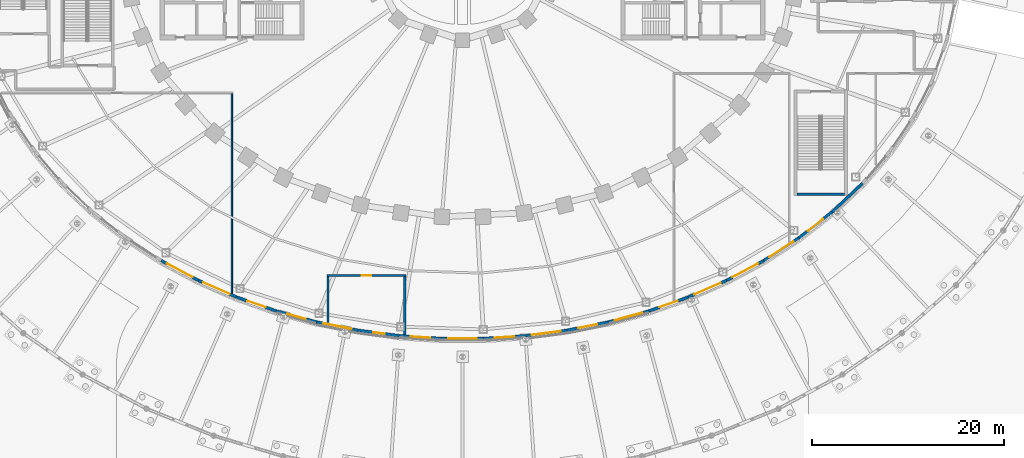
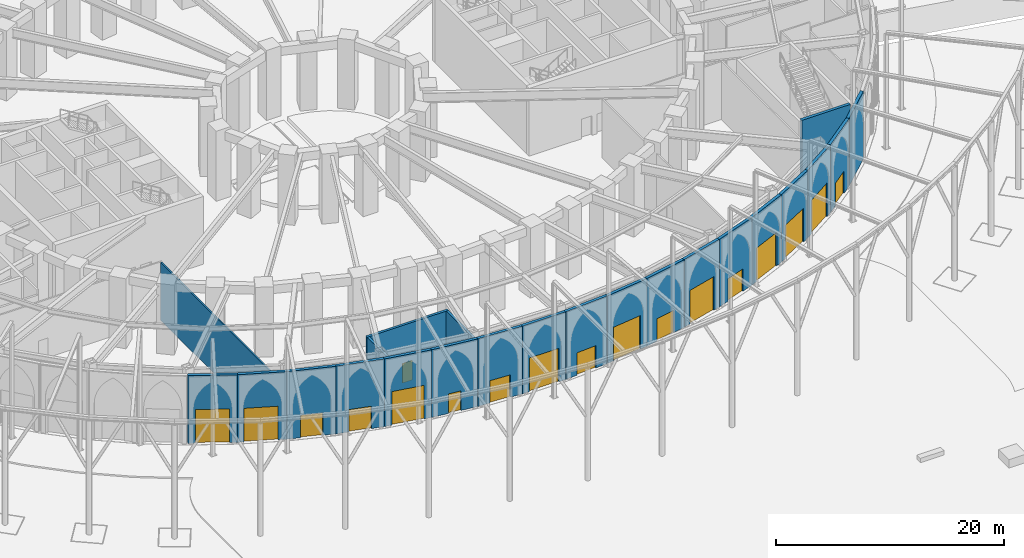
# One storey, part 44 of 79: 23 walls, 9 doors, 9 windows, 18 openings.
"""IFC4 building model written with IfcOpenShell, lengths in metres."""

from ifc_helpers import new_model, si_unit, direction, frame, frame_2d, origin, place, context, subcontext, project, spatial, rectangle, extrude, material, layer, layer_set, type_object, element, fill, save


model = new_model("IFC4")

# Units and contexts
model_context = context("Model", 3, precision=1e-05, world=origin(), true_north=direction((0.0, 1.0)))
body_context = subcontext(model_context, "Body", "Model", "MODEL_VIEW")
ifc_project = project(units=[si_unit("LENGTHUNIT", "METRE"), si_unit("AREAUNIT", "SQUARE_METRE"), si_unit("VOLUMEUNIT", "CUBIC_METRE"), si_unit("PLANEANGLEUNIT", "RADIAN"), si_unit("MASSUNIT", "GRAM", prefix="KILO")], contexts=[model_context])

# Site, building, storey
site_placement = place(None, origin())
site = spatial("IfcSite", under=ifc_project, at=site_placement, CompositionType="ELEMENT")
building_placement = place(site_placement, origin())
building = spatial("IfcBuilding", under=site, at=building_placement, Name="Noorbagh Ring Tower", CompositionType="ELEMENT")
storey_placement = place(building_placement, origin())
storey = spatial("IfcBuildingStorey", under=building, at=storey_placement, Name="L00", CompositionType="ELEMENT", Elevation=0.0)

# Wall, opening, window
ifc_material_1 = material(Name="Blockwork faced with red sandstone", Category="masonry")
ifc_layer_1 = layer(ifc_material_1, 0.300048828125)
ifc_layer_set_1 = layer_set([ifc_layer_1], Name="Blockwork faced with red sandstone")
wall_type_1 = type_object("IfcWallType", Name="GND-ENV-WALL", PredefinedType="SOLIDWALL", material=ifc_layer_set_1)
wall_1_placement = place(storey_placement, frame((-31.3515625, -31.448486328125, 0.0), z_axis=(0.0, 0.0, 1.0), x_axis=(0.882159305704, -0.47095112205, 0.0)))
wall_1 = element("IfcWall", 1, at=wall_1_placement, inside=storey, type_object=wall_type_1, Name="Podium wall", PredefinedType="SOLIDWALL", context=body_context, shape_type="SweptSolid", body=[
    extrude(rectangle(XDim=4.364501953125, YDim=0.300048828125, at=frame_2d((2.18212890625, 0.0))), origin(), (0.0, 0.0, 1.0), 7.25),
])
opening_1_placement = place(wall_1_placement, frame((0.68212890625, 0.0, 0.0)))
opening_1 = element("IfcOpeningElement", 2, at=opening_1_placement, cuts=wall_1, Name="Opening GWN2", PredefinedType="OPENING", context=body_context, shape_type="SweptSolid", body=[
    extrude(rectangle(XDim=3.0, YDim=3.60009765625, at=frame_2d((1.5, 1.800048828125))), frame((0.0, 0.16015625, 0.0), z_axis=(0.0, -1.0, 0.0), x_axis=(1.0, 0.0, 0.0)), (0.0, 0.0, 1.0), 0.320068359375),
])
ifc_material_2 = material(Name="Aluminium and glass", Category="aluminium")
window_type = type_object("IfcWindowType", Name="GND-ENV-SHOPFRONT", PartitioningType="SINGLE_PANEL", PredefinedType="WINDOW", material=ifc_material_2)
window_1_placement = place(opening_1_placement, origin())
window_1 = element("IfcWindow", 3, at=window_1_placement, inside=storey, type_object=window_type, Name="L00 podium window", OverallHeight=3.60009765625, OverallWidth=3.0, PartitioningType="SINGLE_PANEL", PredefinedType="WINDOW", context=body_context, shape_type="SweptSolid", body=[
    extrude(rectangle(XDim=3.0, YDim=3.60009765625, at=frame_2d((1.5, 1.800048828125))), frame((0.0, 0.030029296875, 0.0), z_axis=(0.0, -1.0, 0.0), x_axis=(1.0, 0.0, 0.0)), (0.0, 0.0, 1.0), 0.06005859375),
])
fill(opening_1, window_1)

wall_2_placement = place(storey_placement, frame((-27.50146484375, -33.50390625, 0.0), z_axis=(0.0, 0.0, 1.0), x_axis=(0.916336904548, -0.400408138483, 0.0)))
wall_2 = element("IfcWall", 4, at=wall_2_placement, inside=storey, type_object=wall_type_1, Name="Podium wall", PredefinedType="SOLIDWALL", context=body_context, shape_type="SweptSolid", body=[
    extrude(rectangle(XDim=4.3662109375, YDim=0.300048828125, at=frame_2d((2.18310546875, 0.0))), origin(), (0.0, 0.0, 1.0), 7.25),
])
opening_2_placement = place(wall_2_placement, frame((0.56298828125, 0.0, 0.0)))
opening_2 = element("IfcOpeningElement", 5, at=opening_2_placement, cuts=wall_2, Name="Opening GWN2", PredefinedType="OPENING", context=body_context, shape_type="SweptSolid", body=[
    extrude(rectangle(XDim=3.0, YDim=3.60009765625, at=frame_2d((1.5, 1.800048828125))), frame((0.0, 0.16015625, 0.0), z_axis=(0.0, -1.0, 0.0), x_axis=(1.0, 0.0, 0.0)), (0.0, 0.0, 1.0), 0.320068359375),
])
window_2_placement = place(opening_2_placement, origin())
window_2 = element("IfcWindow", 6, at=window_2_placement, inside=storey, type_object=window_type, Name="L00 podium window", OverallHeight=3.60009765625, OverallWidth=3.0, PartitioningType="SINGLE_PANEL", PredefinedType="WINDOW", context=body_context, shape_type="SweptSolid", body=[
    extrude(rectangle(XDim=3.0, YDim=3.60009765625, at=frame_2d((1.5, 1.800048828125))), frame((0.0, 0.030029296875, 0.0), z_axis=(0.0, -1.0, 0.0), x_axis=(1.0, 0.0, 0.0)), (0.0, 0.0, 1.0), 0.06005859375),
])
fill(opening_2, window_2)

# Wall, opening, door
wall_3_placement = place(storey_placement, frame((-23.50048828125, -35.252197265625, 0.0), z_axis=(0.0, 0.0, 1.0), x_axis=(0.943526738033, -0.331296384853, 0.0)))
wall_3 = element("IfcWall", 7, at=wall_3_placement, inside=storey, type_object=wall_type_1, Name="Podium wall", PredefinedType="SOLIDWALL", context=body_context, shape_type="SweptSolid", body=[
    extrude(rectangle(XDim=4.36767578125, YDim=0.300048828125, at=frame_2d((2.183837890625, 0.0))), origin(), (0.0, 0.0, 1.0), 7.25),
])
opening_3_placement = place(wall_3_placement, frame((1.183837890625, 0.0, 0.0)))
opening_3 = element("IfcOpeningElement", 8, at=opening_3_placement, cuts=wall_3, Name="Opening GD13", PredefinedType="OPENING", context=body_context, shape_type="SweptSolid", body=[
    extrude(rectangle(XDim=2.0, YDim=2.39990234375, at=frame_2d((1.0, 1.199951171875))), frame((0.0, 0.16015625, 0.0), z_axis=(0.0, -1.0, 0.0), x_axis=(1.0, 0.0, 0.0)), (0.0, 0.0, 1.0), 0.320068359375),
])
ifc_material_3 = material(Name="Aluminium and glass", Category="aluminium")
door_type_1 = type_object("IfcDoorType", Name="GND-DOOR-EXIT", OperationType="DOUBLE_DOOR_SINGLE_SWING", PredefinedType="DOOR", material=ifc_material_3)
door_1_placement = place(opening_3_placement, frame((2.0, 0.0, 0.0), z_axis=(0.0, 0.0, 1.0), x_axis=(-1.0, 0.0, 0.0)))
door_1 = element("IfcDoor", 9, at=door_1_placement, inside=storey, type_object=door_type_1, Name="Exit door FX16", OperationType="DOUBLE_DOOR_SINGLE_SWING", OverallHeight=2.39990234375, OverallWidth=2.0, PredefinedType="DOOR", context=body_context, shape_type="SweptSolid", body=[
    extrude(rectangle(XDim=2.0, YDim=2.39990234375, at=frame_2d((1.0, 1.199951171875))), frame((0.0, 0.025146484375, 0.0), z_axis=(0.0, -1.0, 0.0), x_axis=(1.0, 0.0, 0.0)), (0.0, 0.0, 1.0), 0.050048828125),
])
fill(opening_3, door_1)

wall_4_placement = place(storey_placement, frame((-19.37939453125, -36.69921875, 0.0), z_axis=(0.0, 0.0, 1.0), x_axis=(0.964679950239, -0.263424739931, 0.0)))
wall_4 = element("IfcWall", 10, at=wall_4_placement, inside=storey, type_object=wall_type_1, Name="Podium wall", PredefinedType="SOLIDWALL", context=body_context, shape_type="SweptSolid", body=[
    extrude(rectangle(XDim=4.368896484375, YDim=0.300048828125, at=frame_2d((2.1845703125, 0.0))), origin(), (0.0, 0.0, 1.0), 7.25),
])
opening_4_placement = place(wall_4_placement, frame((1.1845703125, 0.0, 0.0)))
opening_4 = element("IfcOpeningElement", 11, at=opening_4_placement, cuts=wall_4, Name="Opening GD13", PredefinedType="OPENING", context=body_context, shape_type="SweptSolid", body=[
    extrude(rectangle(XDim=2.0, YDim=2.39990234375, at=frame_2d((1.0, 1.199951171875))), frame((0.0, 0.16015625, 0.0), z_axis=(0.0, -1.0, 0.0), x_axis=(1.0, 0.0, 0.0)), (0.0, 0.0, 1.0), 0.320068359375),
])
door_2_placement = place(opening_4_placement, frame((2.0, 0.0, 0.0), z_axis=(0.0, 0.0, 1.0), x_axis=(-1.0, 0.0, 0.0)))
door_2 = element("IfcDoor", 12, at=door_2_placement, inside=storey, type_object=door_type_1, Name="Exit door FX17", OperationType="DOUBLE_DOOR_SINGLE_SWING", OverallHeight=2.39990234375, OverallWidth=2.0, PredefinedType="DOOR", context=body_context, shape_type="SweptSolid", body=[
    extrude(rectangle(XDim=2.0, YDim=2.39990234375, at=frame_2d((1.0, 1.199951171875))), frame((0.0, 0.025146484375, 0.0), z_axis=(0.0, -1.0, 0.0), x_axis=(1.0, 0.0, 0.0)), (0.0, 0.0, 1.0), 0.050048828125),
])
fill(opening_4, door_2)

# Wall, opening, window
wall_5_placement = place(storey_placement, frame((-2.185546875, -39.564208984375, 0.0), z_axis=(0.0, 0.0, 1.0), x_axis=(1.0, 0.0, 0.0)))
wall_5 = element("IfcWall", 13, at=wall_5_placement, inside=storey, type_object=wall_type_1, Name="Podium wall", PredefinedType="SOLIDWALL", context=body_context, shape_type="SweptSolid", body=[
    extrude(rectangle(XDim=4.37109375, YDim=0.300048828125, at=frame_2d((2.185546875, 0.0))), origin(), (0.0, 0.0, 1.0), 7.25),
])
opening_5_placement = place(wall_5_placement, frame((0.685546875, 0.0, 0.0)))
opening_5 = element("IfcOpeningElement", 14, at=opening_5_placement, cuts=wall_5, Name="Opening GWN2", PredefinedType="OPENING", context=body_context, shape_type="SweptSolid", body=[
    extrude(rectangle(XDim=3.0, YDim=3.60009765625, at=frame_2d((1.5, 1.800048828125))), frame((0.0, 0.16015625, 0.0), z_axis=(0.0, -1.0, 0.0), x_axis=(1.0, 0.0, 0.0)), (0.0, 0.0, 1.0), 0.320068359375),
])
window_3_placement = place(opening_5_placement, origin())
window_3 = element("IfcWindow", 15, at=window_3_placement, inside=storey, type_object=window_type, Name="L00 podium window", OverallHeight=3.60009765625, OverallWidth=3.0, PartitioningType="SINGLE_PANEL", PredefinedType="WINDOW", context=body_context, shape_type="SweptSolid", body=[
    extrude(rectangle(XDim=3.0, YDim=3.60009765625, at=frame_2d((1.5, 1.800048828125))), frame((0.0, 0.030029296875, 0.0), z_axis=(0.0, -1.0, 0.0), x_axis=(1.0, 0.0, 0.0)), (0.0, 0.0, 1.0), 0.06005859375),
])
fill(opening_5, window_3)

# Wall, opening, door
wall_6_placement = place(storey_placement, frame((2.185546875, -39.564208984375, 0.0), z_axis=(0.0, 0.0, 1.0), x_axis=(0.997876871627, 0.065128711577, 0.0)))
wall_6 = element("IfcWall", 16, at=wall_6_placement, inside=storey, type_object=wall_type_1, Name="Podium wall", PredefinedType="SOLIDWALL", context=body_context, shape_type="SweptSolid", body=[
    extrude(rectangle(XDim=4.370849609375, YDim=0.300048828125, at=frame_2d((2.185546875, 0.0))), origin(), (0.0, 0.0, 1.0), 7.25),
])
opening_6_placement = place(wall_6_placement, frame((1.185302734375, 0.0, 0.0)))
opening_6 = element("IfcOpeningElement", 17, at=opening_6_placement, cuts=wall_6, Name="Opening GD13", PredefinedType="OPENING", context=body_context, shape_type="SweptSolid", body=[
    extrude(rectangle(XDim=2.0, YDim=2.39990234375, at=frame_2d((1.0, 1.199951171875))), frame((0.0, 0.16015625, 0.0), z_axis=(0.0, -1.0, 0.0), x_axis=(1.0, 0.0, 0.0)), (0.0, 0.0, 1.0), 0.320068359375),
])
door_3_placement = place(opening_6_placement, frame((2.0, 0.0, 0.0), z_axis=(0.0, 0.0, 1.0), x_axis=(-1.0, 0.0, 0.0)))
door_3 = element("IfcDoor", 18, at=door_3_placement, inside=storey, type_object=door_type_1, Name="Exit door FX19", OperationType="DOUBLE_DOOR_SINGLE_SWING", OverallHeight=2.39990234375, OverallWidth=2.0, PredefinedType="DOOR", context=body_context, shape_type="SweptSolid", body=[
    extrude(rectangle(XDim=2.0, YDim=2.39990234375, at=frame_2d((1.0, 1.199951171875))), frame((0.0, 0.025146484375, 0.0), z_axis=(0.0, -1.0, 0.0), x_axis=(1.0, 0.0, 0.0)), (0.0, 0.0, 1.0), 0.050048828125),
])
fill(opening_6, door_3)

# Wall, opening, window
wall_7_placement = place(storey_placement, frame((6.547119140625, -39.279541015625, 0.0), z_axis=(0.0, 0.0, 1.0), x_axis=(0.991441741932, 0.130549884544, 0.0)))
wall_7 = element("IfcWall", 19, at=wall_7_placement, inside=storey, type_object=wall_type_1, Name="Podium wall", PredefinedType="SOLIDWALL", context=body_context, shape_type="SweptSolid", body=[
    extrude(rectangle(XDim=4.370361328125, YDim=0.300048828125, at=frame_2d((2.18505859375, 0.0))), origin(), (0.0, 0.0, 1.0), 7.25),
])
opening_7_placement = place(wall_7_placement, frame((0.685302734375, 0.0, 0.0)))
opening_7 = element("IfcOpeningElement", 20, at=opening_7_placement, cuts=wall_7, Name="Opening GWN2", PredefinedType="OPENING", context=body_context, shape_type="SweptSolid", body=[
    extrude(rectangle(XDim=3.0, YDim=3.60009765625, at=frame_2d((1.5, 1.800048828125))), frame((0.0, 0.16015625, 0.0), z_axis=(0.0, -1.0, 0.0), x_axis=(1.0, 0.0, 0.0)), (0.0, 0.0, 1.0), 0.320068359375),
])
window_4_placement = place(opening_7_placement, origin())
window_4 = element("IfcWindow", 21, at=window_4_placement, inside=storey, type_object=window_type, Name="L00 podium window", OverallHeight=3.60009765625, OverallWidth=3.0, PartitioningType="SINGLE_PANEL", PredefinedType="WINDOW", context=body_context, shape_type="SweptSolid", body=[
    extrude(rectangle(XDim=3.0, YDim=3.60009765625, at=frame_2d((1.5, 1.800048828125))), frame((0.0, 0.030029296875, 0.0), z_axis=(0.0, -1.0, 0.0), x_axis=(1.0, 0.0, 0.0)), (0.0, 0.0, 1.0), 0.06005859375),
])
fill(opening_7, window_4)

# Wall, opening, door
wall_8_placement = place(storey_placement, frame((10.880126953125, -38.708984375, 0.0), z_axis=(0.0, 0.0, 1.0), x_axis=(0.980494629762, 0.196545875071, 0.0)))
wall_8 = element("IfcWall", 22, at=wall_8_placement, inside=storey, type_object=wall_type_1, Name="Podium wall", PredefinedType="SOLIDWALL", context=body_context, shape_type="SweptSolid", body=[
    extrude(rectangle(XDim=4.369873046875, YDim=0.300048828125, at=frame_2d((2.18505859375, 0.0))), origin(), (0.0, 0.0, 1.0), 7.25),
])
opening_8_placement = place(wall_8_placement, frame((1.184814453125, 0.0, 0.0)))
opening_8 = element("IfcOpeningElement", 23, at=opening_8_placement, cuts=wall_8, Name="Opening GD13", PredefinedType="OPENING", context=body_context, shape_type="SweptSolid", body=[
    extrude(rectangle(XDim=2.0, YDim=2.39990234375, at=frame_2d((1.0, 1.199951171875))), frame((0.0, 0.16015625, 0.0), z_axis=(0.0, -1.0, 0.0), x_axis=(1.0, 0.0, 0.0)), (0.0, 0.0, 1.0), 0.320068359375),
])
door_4_placement = place(opening_8_placement, frame((2.0, 0.0, 0.0), z_axis=(0.0, 0.0, 1.0), x_axis=(-1.0, 0.0, 0.0)))
door_4 = element("IfcDoor", 24, at=door_4_placement, inside=storey, type_object=door_type_1, Name="Exit door FX20", OperationType="DOUBLE_DOOR_SINGLE_SWING", OverallHeight=2.39990234375, OverallWidth=2.0, PredefinedType="DOOR", context=body_context, shape_type="SweptSolid", body=[
    extrude(rectangle(XDim=2.0, YDim=2.39990234375, at=frame_2d((1.0, 1.199951171875))), frame((0.0, 0.025146484375, 0.0), z_axis=(0.0, -1.0, 0.0), x_axis=(1.0, 0.0, 0.0)), (0.0, 0.0, 1.0), 0.050048828125),
])
fill(opening_8, door_4)

# Wall, opening, window
wall_9_placement = place(storey_placement, frame((15.164794921875, -37.85009765625, 0.0), z_axis=(0.0, 0.0, 1.0), x_axis=(0.964679950239, 0.263424739931, 0.0)))
wall_9 = element("IfcWall", 25, at=wall_9_placement, inside=storey, type_object=wall_type_1, Name="Podium wall", PredefinedType="SOLIDWALL", context=body_context, shape_type="SweptSolid", body=[
    extrude(rectangle(XDim=4.368896484375, YDim=0.300048828125, at=frame_2d((2.1845703125, 0.0))), origin(), (0.0, 0.0, 1.0), 7.25),
])
opening_9_placement = place(wall_9_placement, frame((0.6845703125, 0.0, 0.0)))
opening_9 = element("IfcOpeningElement", 26, at=opening_9_placement, cuts=wall_9, Name="Opening GWN2", PredefinedType="OPENING", context=body_context, shape_type="SweptSolid", body=[
    extrude(rectangle(XDim=3.0, YDim=3.60009765625, at=frame_2d((1.5, 1.800048828125))), frame((0.0, 0.16015625, 0.0), z_axis=(0.0, -1.0, 0.0), x_axis=(1.0, 0.0, 0.0)), (0.0, 0.0, 1.0), 0.320068359375),
])
window_5_placement = place(opening_9_placement, origin())
window_5 = element("IfcWindow", 27, at=window_5_placement, inside=storey, type_object=window_type, Name="L00 podium window", OverallHeight=3.60009765625, OverallWidth=3.0, PartitioningType="SINGLE_PANEL", PredefinedType="WINDOW", context=body_context, shape_type="SweptSolid", body=[
    extrude(rectangle(XDim=3.0, YDim=3.60009765625, at=frame_2d((1.5, 1.800048828125))), frame((0.0, 0.030029296875, 0.0), z_axis=(0.0, -1.0, 0.0), x_axis=(1.0, 0.0, 0.0)), (0.0, 0.0, 1.0), 0.06005859375),
])
fill(opening_9, window_5)

# Wall, opening, door
wall_10_placement = place(storey_placement, frame((19.37939453125, -36.69921875, 0.0), z_axis=(0.0, 0.0, 1.0), x_axis=(0.943526738033, 0.331296384853, 0.0)))
wall_10 = element("IfcWall", 28, at=wall_10_placement, inside=storey, type_object=wall_type_1, Name="Podium wall", PredefinedType="SOLIDWALL", context=body_context, shape_type="SweptSolid", body=[
    extrude(rectangle(XDim=4.36767578125, YDim=0.300048828125, at=frame_2d((2.183837890625, 0.0))), origin(), (0.0, 0.0, 1.0), 7.25),
])
opening_10_placement = place(wall_10_placement, frame((1.183837890625, 0.0, 0.0)))
opening_10 = element("IfcOpeningElement", 29, at=opening_10_placement, cuts=wall_10, Name="Opening GD13", PredefinedType="OPENING", context=body_context, shape_type="SweptSolid", body=[
    extrude(rectangle(XDim=2.0, YDim=2.39990234375, at=frame_2d((1.0, 1.199951171875))), frame((0.0, 0.16015625, 0.0), z_axis=(0.0, -1.0, 0.0), x_axis=(1.0, 0.0, 0.0)), (0.0, 0.0, 1.0), 0.320068359375),
])
door_5_placement = place(opening_10_placement, frame((2.0, 0.0, 0.0), z_axis=(0.0, 0.0, 1.0), x_axis=(-1.0, 0.0, 0.0)))
door_5 = element("IfcDoor", 30, at=door_5_placement, inside=storey, type_object=door_type_1, Name="Exit door FX21", OperationType="DOUBLE_DOOR_SINGLE_SWING", OverallHeight=2.39990234375, OverallWidth=2.0, PredefinedType="DOOR", context=body_context, shape_type="SweptSolid", body=[
    extrude(rectangle(XDim=2.0, YDim=2.39990234375, at=frame_2d((1.0, 1.199951171875))), frame((0.0, 0.025146484375, 0.0), z_axis=(0.0, -1.0, 0.0), x_axis=(1.0, 0.0, 0.0)), (0.0, 0.0, 1.0), 0.050048828125),
])
fill(opening_10, door_5)

# Wall, opening, window
wall_11_placement = place(storey_placement, frame((23.50048828125, -35.252197265625, 0.0), z_axis=(0.0, 0.0, 1.0), x_axis=(0.916336904548, 0.400408138483, 0.0)))
wall_11 = element("IfcWall", 31, at=wall_11_placement, inside=storey, type_object=wall_type_1, Name="Podium wall", PredefinedType="SOLIDWALL", context=body_context, shape_type="SweptSolid", body=[
    extrude(rectangle(XDim=4.3662109375, YDim=0.300048828125, at=frame_2d((2.18310546875, 0.0))), origin(), (0.0, 0.0, 1.0), 7.25),
])
opening_11_placement = place(wall_11_placement, frame((0.68310546875, 0.0, 0.0)))
opening_11 = element("IfcOpeningElement", 32, at=opening_11_placement, cuts=wall_11, Name="Opening GWN2", PredefinedType="OPENING", context=body_context, shape_type="SweptSolid", body=[
    extrude(rectangle(XDim=3.0, YDim=3.60009765625, at=frame_2d((1.5, 1.800048828125))), frame((0.0, 0.16015625, 0.0), z_axis=(0.0, -1.0, 0.0), x_axis=(1.0, 0.0, 0.0)), (0.0, 0.0, 1.0), 0.320068359375),
])
window_6_placement = place(opening_11_placement, origin())
window_6 = element("IfcWindow", 33, at=window_6_placement, inside=storey, type_object=window_type, Name="L00 podium window", OverallHeight=3.60009765625, OverallWidth=3.0, PartitioningType="SINGLE_PANEL", PredefinedType="WINDOW", context=body_context, shape_type="SweptSolid", body=[
    extrude(rectangle(XDim=3.0, YDim=3.60009765625, at=frame_2d((1.5, 1.800048828125))), frame((0.0, 0.030029296875, 0.0), z_axis=(0.0, -1.0, 0.0), x_axis=(1.0, 0.0, 0.0)), (0.0, 0.0, 1.0), 0.06005859375),
])
fill(opening_11, window_6)

wall_12_placement = place(storey_placement, frame((27.50146484375, -33.50390625, 0.0), z_axis=(0.0, 0.0, 1.0), x_axis=(0.882159305704, 0.47095112205, 0.0)))
wall_12 = element("IfcWall", 34, at=wall_12_placement, inside=storey, type_object=wall_type_1, Name="Podium wall", PredefinedType="SOLIDWALL", context=body_context, shape_type="SweptSolid", body=[
    extrude(rectangle(XDim=4.364501953125, YDim=0.300048828125, at=frame_2d((2.18212890625, 0.0))), origin(), (0.0, 0.0, 1.0), 7.25),
])
opening_12_placement = place(wall_12_placement, frame((0.68212890625, 0.0, 0.0)))
opening_12 = element("IfcOpeningElement", 35, at=opening_12_placement, cuts=wall_12, Name="Opening GWN2", PredefinedType="OPENING", context=body_context, shape_type="SweptSolid", body=[
    extrude(rectangle(XDim=3.0, YDim=3.60009765625, at=frame_2d((1.5, 1.800048828125))), frame((0.0, 0.16015625, 0.0), z_axis=(0.0, -1.0, 0.0), x_axis=(1.0, 0.0, 0.0)), (0.0, 0.0, 1.0), 0.320068359375),
])
window_7_placement = place(opening_12_placement, origin())
window_7 = element("IfcWindow", 36, at=window_7_placement, inside=storey, type_object=window_type, Name="L00 podium window", OverallHeight=3.60009765625, OverallWidth=3.0, PartitioningType="SINGLE_PANEL", PredefinedType="WINDOW", context=body_context, shape_type="SweptSolid", body=[
    extrude(rectangle(XDim=3.0, YDim=3.60009765625, at=frame_2d((1.5, 1.800048828125))), frame((0.0, 0.030029296875, 0.0), z_axis=(0.0, -1.0, 0.0), x_axis=(1.0, 0.0, 0.0)), (0.0, 0.0, 1.0), 0.06005859375),
])
fill(opening_12, window_7)

wall_13_placement = place(storey_placement, frame((31.3515625, -31.448486328125, 0.0), z_axis=(0.0, 0.0, 1.0), x_axis=(0.840047348843, 0.542513088969, 0.0)))
wall_13 = element("IfcWall", 37, at=wall_13_placement, inside=storey, type_object=wall_type_1, Name="Podium wall", PredefinedType="SOLIDWALL", context=body_context, shape_type="SweptSolid", body=[
    extrude(rectangle(XDim=4.362060546875, YDim=0.300048828125, at=frame_2d((2.18115234375, 0.0))), origin(), (0.0, 0.0, 1.0), 7.25),
])
opening_13_placement = place(wall_13_placement, frame((0.680908203125, 0.0, 0.0)))
opening_13 = element("IfcOpeningElement", 38, at=opening_13_placement, cuts=wall_13, Name="Opening GWN2", PredefinedType="OPENING", context=body_context, shape_type="SweptSolid", body=[
    extrude(rectangle(XDim=3.0, YDim=3.60009765625, at=frame_2d((1.5, 1.800048828125))), frame((0.0, 0.16015625, 0.0), z_axis=(0.0, -1.0, 0.0), x_axis=(1.0, 0.0, 0.0)), (0.0, 0.0, 1.0), 0.320068359375),
])
window_8_placement = place(opening_13_placement, origin())
window_8 = element("IfcWindow", 39, at=window_8_placement, inside=storey, type_object=window_type, Name="L00 podium window", OverallHeight=3.60009765625, OverallWidth=3.0, PartitioningType="SINGLE_PANEL", PredefinedType="WINDOW", context=body_context, shape_type="SweptSolid", body=[
    extrude(rectangle(XDim=3.0, YDim=3.60009765625, at=frame_2d((1.5, 1.800048828125))), frame((0.0, 0.030029296875, 0.0), z_axis=(0.0, -1.0, 0.0), x_axis=(1.0, 0.0, 0.0)), (0.0, 0.0, 1.0), 0.06005859375),
])
fill(opening_13, window_8)

# Wall, opening, door
wall_14_placement = place(storey_placement, frame((35.015869140625, -29.08203125, 0.0), z_axis=(0.0, 0.0, 1.0), x_axis=(0.788491985196, 0.615045030288, 0.0)))
wall_14 = element("IfcWall", 40, at=wall_14_placement, inside=storey, type_object=wall_type_1, Name="Podium wall", PredefinedType="SOLIDWALL", context=body_context, shape_type="SweptSolid", body=[
    extrude(rectangle(XDim=4.359375, YDim=0.300048828125, at=frame_2d((2.1796875, 0.0))), origin(), (0.0, 0.0, 1.0), 7.25),
])
opening_14_placement = place(wall_14_placement, frame((1.1796875, 0.0, 0.0)))
opening_14 = element("IfcOpeningElement", 41, at=opening_14_placement, cuts=wall_14, Name="Opening GD13", PredefinedType="OPENING", context=body_context, shape_type="SweptSolid", body=[
    extrude(rectangle(XDim=2.0, YDim=2.39990234375, at=frame_2d((1.0, 1.199951171875))), frame((0.0, 0.16015625, 0.0), z_axis=(0.0, -1.0, 0.0), x_axis=(1.0, 0.0, 0.0)), (0.0, 0.0, 1.0), 0.320068359375),
])
door_6_placement = place(opening_14_placement, frame((2.0, 0.0, 0.0), z_axis=(0.0, 0.0, 1.0), x_axis=(-1.0, 0.0, 0.0)))
door_6 = element("IfcDoor", 42, at=door_6_placement, inside=storey, type_object=door_type_1, Name="Exit door FX22", OperationType="DOUBLE_DOOR_SINGLE_SWING", OverallHeight=2.39990234375, OverallWidth=2.0, PredefinedType="DOOR", context=body_context, shape_type="SweptSolid", body=[
    extrude(rectangle(XDim=2.0, YDim=2.39990234375, at=frame_2d((1.0, 1.199951171875))), frame((0.0, 0.025146484375, 0.0), z_axis=(0.0, -1.0, 0.0), x_axis=(1.0, 0.0, 0.0)), (0.0, 0.0, 1.0), 0.050048828125),
])
fill(opening_14, door_6)

# Wall
wall_15_placement = place(storey_placement, frame((38.453125, -26.40087890625, 0.0), z_axis=(0.0, 0.0, 1.0), x_axis=(0.72620446032, 0.687478786444, 0.0)))
element("IfcWall", 43, at=wall_15_placement, inside=storey, type_object=wall_type_1, Name="Podium wall", PredefinedType="SOLIDWALL", context=body_context, shape_type="SweptSolid", body=[
    extrude(rectangle(XDim=4.356201171875, YDim=0.300048828125, at=frame_2d((2.17822265625, 0.0))), origin(), (0.0, 0.0, 1.0), 7.25),
])

# Wall, opening, window
ifc_material_4 = material(Name="Blockwork faced with red sandstone", Category="masonry")
ifc_layer_2 = layer(ifc_material_4, 0.300048828125)
ifc_layer_set_2 = layer_set([ifc_layer_2], Name="Blockwork faced with red sandstone")
wall_type_2 = type_object("IfcWallType", Name="GND-ENV-WALL-EI120", PredefinedType="SOLIDWALL", material=ifc_layer_set_2)
wall_16_placement = place(storey_placement, frame((-15.164794921875, -37.85009765625, 0.0), z_axis=(0.0, 0.0, 1.0), x_axis=(0.980494629762, -0.196545875071, 0.0)))
wall_16 = element("IfcWall", 44, at=wall_16_placement, inside=storey, type_object=wall_type_2, Name="Podium wall", PredefinedType="SOLIDWALL", context=body_context, shape_type="SweptSolid", body=[
    extrude(rectangle(XDim=4.369873046875, YDim=0.300048828125, at=frame_2d((2.18505859375, 0.0))), origin(), (0.0, 0.0, 1.0), 7.25),
])
opening_15_placement = place(wall_16_placement, frame((0.684814453125, 0.0, 0.0)))
opening_15 = element("IfcOpeningElement", 45, at=opening_15_placement, cuts=wall_16, Name="Opening GWN2", PredefinedType="OPENING", context=body_context, shape_type="SweptSolid", body=[
    extrude(rectangle(XDim=3.0, YDim=3.60009765625, at=frame_2d((1.5, 1.800048828125))), frame((0.0, 0.16015625, 0.0), z_axis=(0.0, -1.0, 0.0), x_axis=(1.0, 0.0, 0.0)), (0.0, 0.0, 1.0), 0.320068359375),
])
window_9_placement = place(opening_15_placement, origin())
window_9 = element("IfcWindow", 46, at=window_9_placement, inside=storey, type_object=window_type, Name="L00 podium window", OverallHeight=3.60009765625, OverallWidth=3.0, PartitioningType="SINGLE_PANEL", PredefinedType="WINDOW", context=body_context, shape_type="SweptSolid", body=[
    extrude(rectangle(XDim=3.0, YDim=3.60009765625, at=frame_2d((1.5, 1.800048828125))), frame((0.0, 0.030029296875, 0.0), z_axis=(0.0, -1.0, 0.0), x_axis=(1.0, 0.0, 0.0)), (0.0, 0.0, 1.0), 0.06005859375),
])
fill(opening_15, window_9)

# Wall, opening, door
wall_17_placement = place(storey_placement, frame((-10.880126953125, -38.708984375, 0.0), z_axis=(0.0, 0.0, 1.0), x_axis=(0.991441741932, -0.130549884544, 0.0)))
wall_17 = element("IfcWall", 47, at=wall_17_placement, inside=storey, type_object=wall_type_2, Name="Podium wall", PredefinedType="SOLIDWALL", context=body_context, shape_type="SweptSolid", body=[
    extrude(rectangle(XDim=4.370361328125, YDim=0.300048828125, at=frame_2d((2.18505859375, 0.0))), origin(), (0.0, 0.0, 1.0), 7.25),
])
opening_16_placement = place(wall_17_placement, frame((1.585205078125, 0.0, 0.0)))
opening_16 = element("IfcOpeningElement", 48, at=opening_16_placement, cuts=wall_17, Name="Opening GD15", PredefinedType="OPENING", context=body_context, shape_type="SweptSolid", body=[
    extrude(rectangle(XDim=1.199951171875, YDim=2.10009765625, at=frame_2d((0.60009765625, 1.050048828125))), frame((0.0, 0.16015625, 0.0), z_axis=(0.0, -1.0, 0.0), x_axis=(1.0, 0.0, 0.0)), (0.0, 0.0, 1.0), 0.320068359375),
])
ifc_material_5 = material(Name="Steel", Category="steel")
door_type_2 = type_object("IfcDoorType", Name="GND-DOOR-FCR", OperationType="SINGLE_SWING_LEFT", PredefinedType="DOOR", material=ifc_material_5)
door_7_placement = place(opening_16_placement, frame((1.199951171875, 0.0, 0.0), z_axis=(0.0, 0.0, 1.0), x_axis=(-1.0, 0.0, 0.0)))
door_7 = element("IfcDoor", 49, at=door_7_placement, inside=storey, type_object=door_type_2, Name="Fire command room plaza door", OperationType="SINGLE_SWING_LEFT", OverallHeight=2.10009765625, OverallWidth=1.199951171875, PredefinedType="DOOR", context=body_context, shape_type="SweptSolid", body=[
    extrude(rectangle(XDim=1.199951171875, YDim=2.10009765625, at=frame_2d((0.599853515625, 1.050048828125))), frame((0.0, 0.025146484375, 0.0), z_axis=(0.0, -1.0, 0.0), x_axis=(1.0, 0.0, 0.0)), (0.0, 0.0, 1.0), 0.050048828125),
])
fill(opening_16, door_7)

wall_18_placement = place(storey_placement, frame((-6.547119140625, -39.279541015625, 0.0), z_axis=(0.0, 0.0, 1.0), x_axis=(0.997876871627, -0.065128711577, 0.0)))
wall_18 = element("IfcWall", 50, at=wall_18_placement, inside=storey, type_object=wall_type_2, Name="Podium wall", PredefinedType="SOLIDWALL", context=body_context, shape_type="SweptSolid", body=[
    extrude(rectangle(XDim=4.370849609375, YDim=0.300048828125, at=frame_2d((2.185546875, 0.0))), origin(), (0.0, 0.0, 1.0), 7.25),
])
opening_17_placement = place(wall_18_placement, frame((1.185302734375, 0.0, 0.0)))
opening_17 = element("IfcOpeningElement", 51, at=opening_17_placement, cuts=wall_18, Name="Opening GD13", PredefinedType="OPENING", context=body_context, shape_type="SweptSolid", body=[
    extrude(rectangle(XDim=2.0, YDim=2.39990234375, at=frame_2d((1.0, 1.199951171875))), frame((0.0, 0.16015625, 0.0), z_axis=(0.0, -1.0, 0.0), x_axis=(1.0, 0.0, 0.0)), (0.0, 0.0, 1.0), 0.320068359375),
])
door_8_placement = place(opening_17_placement, frame((2.0, 0.0, 0.0), z_axis=(0.0, 0.0, 1.0), x_axis=(-1.0, 0.0, 0.0)))
door_8 = element("IfcDoor", 52, at=door_8_placement, inside=storey, type_object=door_type_1, Name="Exit door FX18", OperationType="DOUBLE_DOOR_SINGLE_SWING", OverallHeight=2.39990234375, OverallWidth=2.0, PredefinedType="DOOR", context=body_context, shape_type="SweptSolid", body=[
    extrude(rectangle(XDim=2.0, YDim=2.39990234375, at=frame_2d((1.0, 1.199951171875))), frame((0.0, 0.025146484375, 0.0), z_axis=(0.0, -1.0, 0.0), x_axis=(1.0, 0.0, 0.0)), (0.0, 0.0, 1.0), 0.050048828125),
])
fill(opening_17, door_8)

# Walls
ifc_material_6 = material(Name="Gypsum board on steel studs", Category="steel")
ifc_layer_3 = layer(ifc_material_6, 0.14990234375)
ifc_layer_set_3 = layer_set([ifc_layer_3], Name="Gypsum board on steel studs")
wall_type_3 = type_object("IfcWallType", Name="GND-PART-150", PredefinedType="PARTITIONING", material=ifc_layer_set_3)
wall_19_placement = place(storey_placement, frame((-24.0, -14.074951171875, 0.0), z_axis=(0.0, 0.0, 1.0), x_axis=(0.0, -1.0, 0.0)))
element("IfcWall", 53, at=wall_19_placement, inside=storey, type_object=wall_type_3, Name="L00/wall/P005", PredefinedType="PARTITIONING", context=body_context, shape_type="SweptSolid", body=[
    extrude(rectangle(XDim=20.775634765625, YDim=0.14990234375, at=frame_2d((10.3876953125, 0.0))), origin(), (0.0, 0.0, 1.0), 6.199951171875),
])
ifc_material_7 = material(Name="Reinforced blockwork", Category="masonry")
ifc_layer_4 = layer(ifc_material_7, 0.25)
ifc_layer_set_4 = layer_set([ifc_layer_4], Name="Reinforced blockwork")
wall_type_4 = type_object("IfcWallType", Name="GND-PART-250", PredefinedType="PARTITIONING", material=ifc_layer_set_4)
wall_20_placement = place(storey_placement, frame((-6.0, -33.125, 0.0), z_axis=(0.0, 0.0, 1.0), x_axis=(0.0, -1.0, 0.0)))
element("IfcWall", 54, at=wall_20_placement, inside=storey, type_object=wall_type_4, Name="L00/wall/P013", PredefinedType="PARTITIONING", context=body_context, shape_type="SweptSolid", body=[
    extrude(rectangle(XDim=6.036865234375, YDim=0.25, at=frame_2d((3.0185546875, 0.0))), origin(), (0.0, 0.0, 1.0), 6.25),
])
wall_21_placement = place(storey_placement, frame((-14.0, -37.91455078125, 0.0), z_axis=(0.0, 0.0, 1.0), x_axis=(0.0, 1.0, 0.0)))
element("IfcWall", 55, at=wall_21_placement, inside=storey, type_object=wall_type_4, Name="L00/wall/P014", PredefinedType="PARTITIONING", context=body_context, shape_type="SweptSolid", body=[
    extrude(rectangle(XDim=4.78955078125, YDim=0.25, at=frame_2d((2.394775390625, 0.0))), origin(), (0.0, 0.0, 1.0), 6.25),
])

# Wall, opening, door
wall_22_placement = place(storey_placement, frame((-14.125, -33.0, 0.0), z_axis=(0.0, 0.0, 1.0), x_axis=(1.0, 0.0, 0.0)))
wall_22 = element("IfcWall", 56, at=wall_22_placement, inside=storey, type_object=wall_type_4, Name="L00/wall/P015", PredefinedType="PARTITIONING", context=body_context, shape_type="SweptSolid", body=[
    extrude(rectangle(XDim=8.25, YDim=0.25, at=frame_2d((4.125, 0.0))), origin(), (0.0, 0.0, 1.0), 6.25),
])
opening_18_placement = place(wall_22_placement, frame((3.625, 0.0, 0.0)))
opening_18 = element("IfcOpeningElement", 57, at=opening_18_placement, cuts=wall_22, Name="Opening GD16", PredefinedType="OPENING", context=body_context, shape_type="SweptSolid", body=[
    extrude(rectangle(XDim=1.0, YDim=2.10009765625, at=frame_2d((0.5, 1.050048828125))), frame((0.0, 0.135009765625, 0.0), z_axis=(0.0, -1.0, 0.0), x_axis=(1.0, 0.0, 0.0)), (0.0, 0.0, 1.0), 0.27001953125),
])
ifc_material_8 = material(Name="Steel", Category="steel")
door_type_3 = type_object("IfcDoorType", Name="GND-DOOR-HALL-FD120-10", OperationType="SINGLE_SWING_LEFT", PredefinedType="DOOR", material=ifc_material_8)
door_9_placement = place(opening_18_placement, origin())
door_9 = element("IfcDoor", 58, at=door_9_placement, inside=storey, type_object=door_type_3, Name="Fire command room door", OperationType="SINGLE_SWING_RIGHT", OverallHeight=2.10009765625, OverallWidth=1.0, PredefinedType="DOOR", context=body_context, shape_type="SweptSolid", body=[
    extrude(rectangle(XDim=1.0, YDim=2.10009765625, at=frame_2d((0.5, 1.050048828125))), frame((0.0, 0.02490234375, 0.0), z_axis=(0.0, -1.0, 0.0), x_axis=(1.0, 0.0, 0.0)), (0.0, 0.0, 1.0), 0.050048828125),
])
fill(opening_18, door_9)

# Wall
ifc_material_9 = material(Name="Concrete C60/75", Category="concrete")
ifc_layer_5 = layer(ifc_material_9, 0.300048828125)
ifc_layer_set_5 = layer_set([ifc_layer_5], Name="Concrete C60/75")
wall_type_5 = type_object("IfcWallType", Name="GND-STAIR-WALL", PredefinedType="SHEAR", material=ifc_layer_set_5)
wall_23_placement = place(storey_placement, frame((34.800048828125, -24.550048828125, 0.0), z_axis=(0.0, 0.0, 1.0), x_axis=(1.0, 0.0, 0.0)))
element("IfcWall", 59, at=wall_23_placement, inside=storey, type_object=wall_type_5, Name="Exit stair ST-P6 wall", PredefinedType="SHEAR", context=body_context, shape_type="SweptSolid", body=[
    extrude(rectangle(XDim=4.949951171875, YDim=0.300048828125, at=frame_2d((2.47509765625, 0.0))), origin(), (0.0, 0.0, 1.0), 7.25),
])

save(model, "model.ifc")
